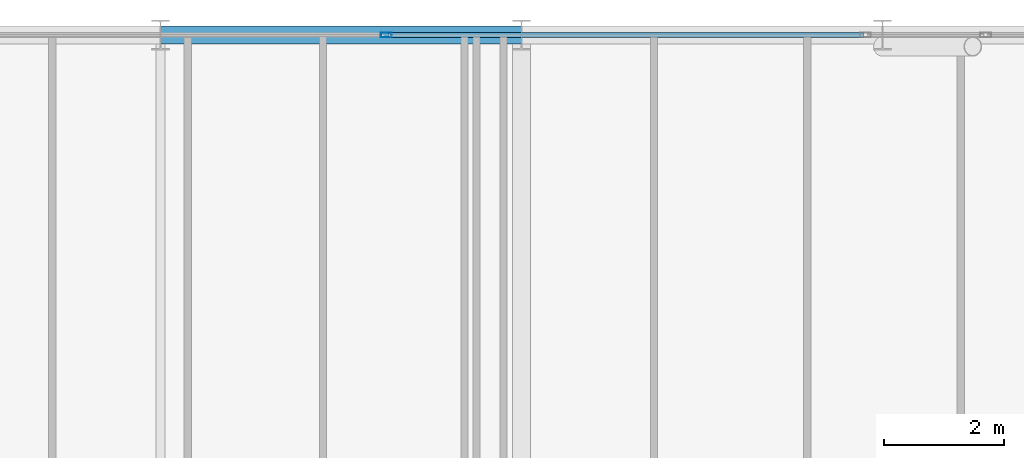
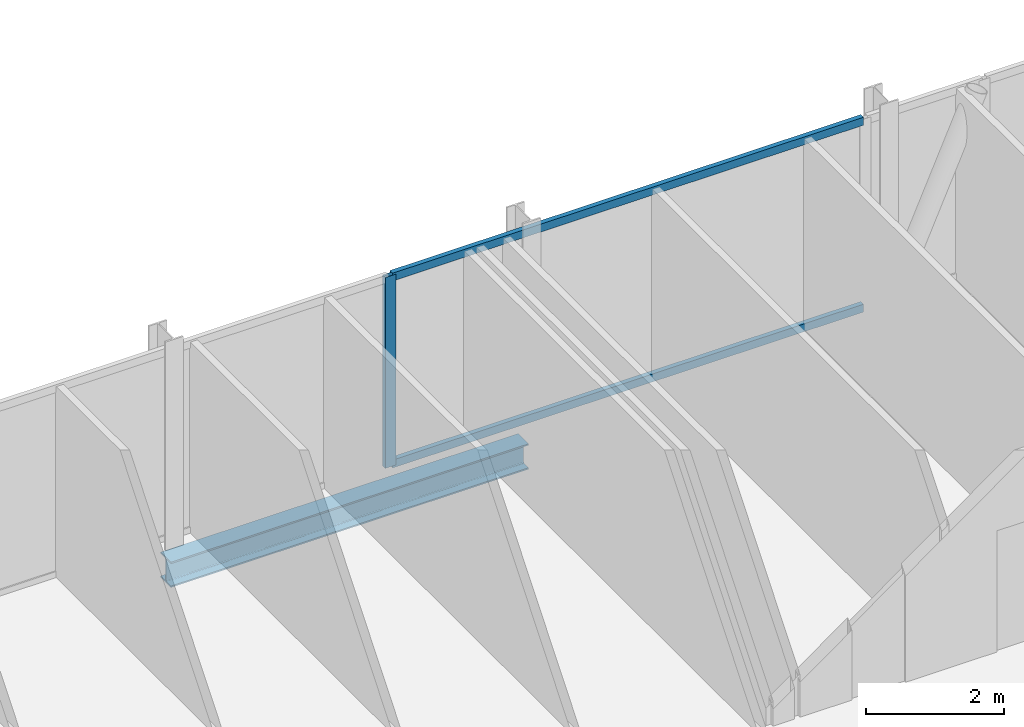
# One storey, part 18 of 31: 3 members, 1 beam, 1 element without a shape of its own.
"""IFC4 building model written with IfcOpenShell, lengths in metres."""

from ifc_helpers import new_model, si_unit, direction, frame, origin, origin_2d, place, context, subcontext, project, spatial, hollow_rectangle, i_section, extrude, material, layer, layer_set, material_profile, profile_set, type_object, element, aggregate, save


model = new_model("IFC4")

# Units and contexts
model_context = context("Model", 3, precision=1e-05, world=origin(), true_north=direction((0.0, 1.0)))
body_context = subcontext(model_context, "Body", "Model", "MODEL_VIEW")
ifc_project = project(units=[si_unit("LENGTHUNIT", "METRE"), si_unit("AREAUNIT", "SQUARE_METRE"), si_unit("VOLUMEUNIT", "CUBIC_METRE"), si_unit("PLANEANGLEUNIT", "RADIAN"), si_unit("MASSUNIT", "GRAM", prefix="KILO")], contexts=[model_context])

# Site, building, storey
site_placement = place(None, origin())
site = spatial("IfcSite", under=ifc_project, at=site_placement, CompositionType="ELEMENT")
building_placement = place(site_placement, origin())
building = spatial("IfcBuilding", under=site, at=building_placement, Name="Keshet Zoharim Tower", CompositionType="ELEMENT")
storey_placement = place(building_placement, frame((0.0, 0.0, 144.60009765625)))
storey = spatial("IfcBuildingStorey", under=building, at=storey_placement, Name="L35", CompositionType="ELEMENT", Elevation=144.60009765625)

# Beam
ifc_material_1 = material(Name="Steel S355", Category="steel")
ifc_material_profile_1 = material_profile(ifc_material_1, i_section(OverallWidth=0.300048828125, OverallDepth=0.449951171875, WebThickness=0.013916015625, FlangeThickness=0.02587890625, FilletRadius=0.027099609375, at=origin_2d()), Name="HEB450")
ifc_profile_set_1 = profile_set([ifc_material_profile_1], Name="Steel S355")
beam_type = type_object("IfcBeamType", Name="BM-WEB-HB450", PredefinedType="BEAM", material=ifc_profile_set_1)
beam_placement = place(storey_placement, frame((27.0, 53.89990234375, -0.5400390625), z_axis=(1.0, 0.0, 0.0), x_axis=(0.0, 1.0, 0.0)))
element("IfcBeam", 1, at=beam_placement, inside=storey, type_object=beam_type, Name="L35 Primary Girder X-021", PredefinedType="BEAM", context=body_context, shape_type="SweptSolid", body=[
    extrude(i_section(OverallWidth=0.300048828125, OverallDepth=0.449951171875, WebThickness=0.013916015625, FlangeThickness=0.02587890625, FilletRadius=0.027099609375, at=origin_2d()), origin(), (0.0, 0.0, 1.0), 6.0),
])

# Curtain wall, members
ifc_material_2 = material(Name="Aluminium 6063-T6", Category="aluminium")
ifc_layer = layer(ifc_material_2, 0.159912109375)
ifc_layer_set = layer_set([ifc_layer], Name="Aluminium 6063-T6")
curtain_wall_type = type_object("IfcCurtainWallType", Name="CW-SYS-03", PredefinedType="NOTDEFINED", material=ifc_layer_set)
curtain_wall_placement = place(storey_placement, origin())
curtain_wall = element("IfcCurtainWall", 2, at=curtain_wall_placement, inside=storey, type_object=curtain_wall_type, Name="L35 Unitised Curtain Wall 13 Part 3", PredefinedType="NOTDEFINED")
ifc_material_profile_2 = material_profile(ifc_material_2, hollow_rectangle(XDim=0.080078125, YDim=0.179931640625, WallThickness=0.00439453125, at=origin_2d()), Name="MUL-80x180")
ifc_profile_set_2 = profile_set([ifc_material_profile_2], Name="Aluminium 6063-T6")
member_type_1 = type_object("IfcMemberType", Name="CWM-M18", PredefinedType="MULLION", material=ifc_profile_set_2)
member_1_placement = place(storey_placement, frame((30.75, 53.89990234375, 0.0), z_axis=(0.0, 0.0, 1.0), x_axis=(0.0, 1.0, 0.0)))
member_1 = element("IfcMember", 3, at=member_1_placement, type_object=member_type_1, Name="CW-03 mullion 2", PredefinedType="MULLION", context=body_context, shape_type="SweptSolid", body=[
    extrude(hollow_rectangle(XDim=0.080078125, YDim=0.179931640625, WallThickness=0.00439453125, at=origin_2d()), origin(), (0.0, 0.0, 1.0), 3.385009765625),
])
ifc_material_profile_3 = material_profile(ifc_material_2, hollow_rectangle(XDim=0.080078125, YDim=0.139892578125, WallThickness=0.00390625, at=origin_2d()), Name="TRN-80x140")
ifc_profile_set_3 = profile_set([ifc_material_profile_3], Name="Aluminium 6063-T6")
member_type_2 = type_object("IfcMemberType", Name="CWT-T14", PredefinedType="USERDEFINED", material=ifc_profile_set_3)
member_2_placement = place(storey_placement, frame((30.784912109375, 53.89990234375, 0.034912109375), z_axis=(1.0, 0.0, 0.0), x_axis=(0.0, 1.0, 0.0)))
member_2 = element("IfcMember", 4, at=member_2_placement, type_object=member_type_2, Name="CW-03 transom 2.1", ObjectType="TRANSOM", PredefinedType="USERDEFINED", context=body_context, shape_type="SweptSolid", body=[
    extrude(hollow_rectangle(XDim=0.080078125, YDim=0.139892578125, WallThickness=0.00390625, at=origin_2d()), origin(), (0.0, 0.0, 1.0), 7.89697265625),
])
member_3_placement = place(storey_placement, frame((30.784912109375, 53.89990234375, 3.349853515625), z_axis=(1.0, 0.0, 0.0), x_axis=(0.0, 1.0, 0.0)))
member_3 = element("IfcMember", 5, at=member_3_placement, type_object=member_type_2, Name="CW-03 transom 2.2", ObjectType="TRANSOM", PredefinedType="USERDEFINED", context=body_context, shape_type="SweptSolid", body=[
    extrude(hollow_rectangle(XDim=0.080078125, YDim=0.139892578125, WallThickness=0.00390625, at=origin_2d()), origin(), (0.0, 0.0, 1.0), 7.89697265625),
])
aggregate(curtain_wall, [member_1, member_2, member_3])

save(model, "model.ifc")
